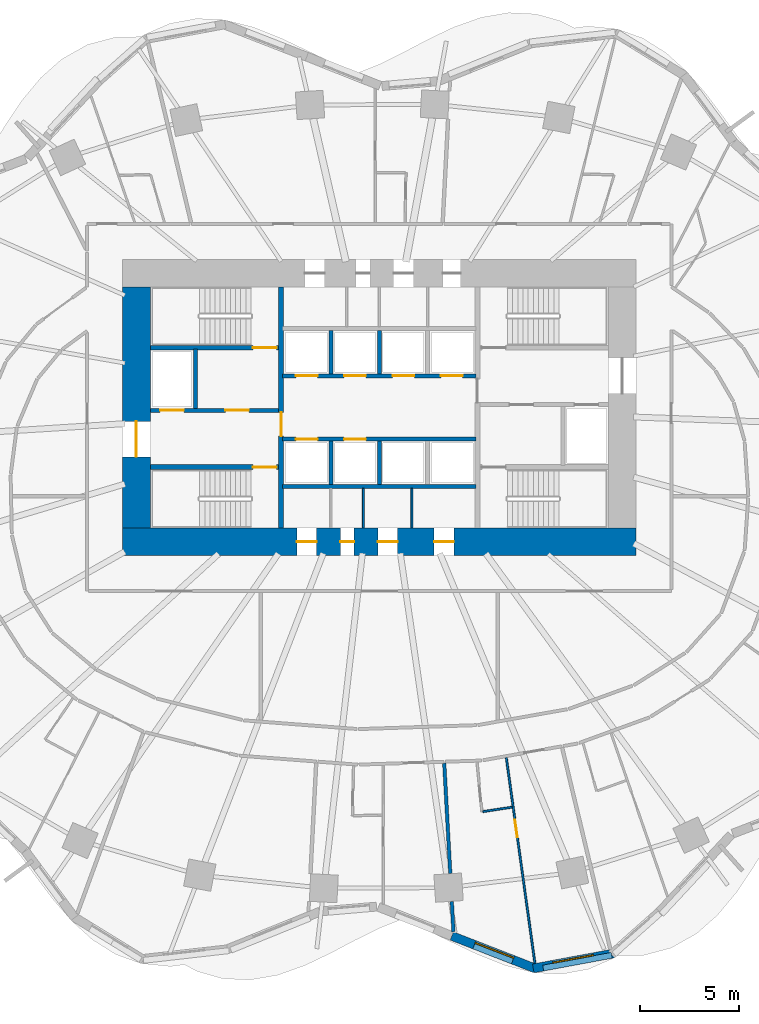
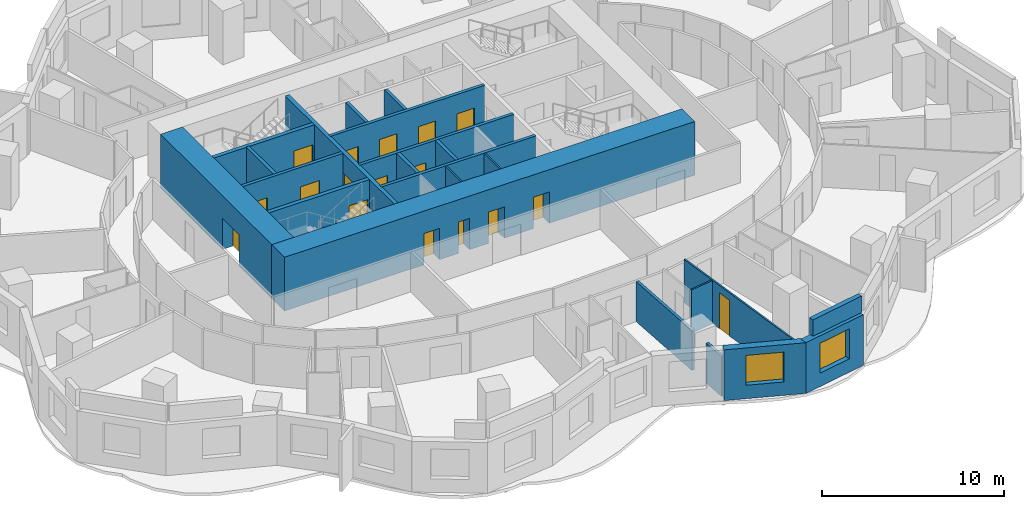
# One storey, part 5 of 11: 23 walls, 17 doors, 2 windows, 19 openings.
"""IFC4 building model written with IfcOpenShell, lengths in metres."""

from ifc_helpers import new_model, si_unit, direction, frame, frame_2d, origin, place, context, subcontext, project, spatial, rectangle, extrude, material, layer, layer_set, type_object, element, fill, save


model = new_model("IFC4")

# Units and contexts
model_context = context("Model", 3, precision=1e-05, world=origin(), true_north=direction((0.0, 1.0)))
body_context = subcontext(model_context, "Body", "Model", "MODEL_VIEW")
ifc_project = project(units=[si_unit("LENGTHUNIT", "METRE"), si_unit("AREAUNIT", "SQUARE_METRE"), si_unit("VOLUMEUNIT", "CUBIC_METRE"), si_unit("PLANEANGLEUNIT", "RADIAN"), si_unit("MASSUNIT", "GRAM", prefix="KILO")], contexts=[model_context])

# Site, building, storey
site_placement = place(None, origin())
site = spatial("IfcSite", under=ifc_project, at=site_placement, CompositionType="ELEMENT")
building_placement = place(site_placement, origin())
building = spatial("IfcBuilding", under=site, at=building_placement, Name="Rubra Terraces Tower", CompositionType="ELEMENT")
storey_placement = place(building_placement, frame((0.0, 0.0, 69.89990234375)))
storey = spatial("IfcBuildingStorey", under=building, at=storey_placement, Name="L15", CompositionType="ELEMENT", Elevation=69.89990234375)

# Walls
ifc_material_1 = material(Name="Twin plasterboard on staggered steel stud, acoustic mineral wool", Category="steel")
ifc_layer_1 = layer(ifc_material_1, 0.175048828125)
ifc_layer_set_1 = layer_set([ifc_layer_1], Name="Twin plasterboard on staggered steel stud, acoustic mineral wool")
wall_type_1 = type_object("IfcWallType", Name="ACOUSTIC PARTY WALL 175", PredefinedType="PARTITIONING", material=ifc_layer_set_1)
wall_1_placement = place(storey_placement, frame((3.7568359375, -22.0576171875, 0.0), z_axis=(0.0, 0.0, 1.0), x_axis=(-0.054592188309, 0.998508734552, 0.0)))
element("IfcWall", 1, at=wall_1_placement, inside=storey, type_object=wall_type_1, Name="PARTITION", PredefinedType="PARTITIONING", context=body_context, shape_type="SweptSolid", body=[
    extrude(rectangle(XDim=1.52490234375, YDim=0.175048828125, at=frame_2d((0.762451171875, 0.0))), origin(), (0.0, 0.0, 1.0), 2.68017578125),
])
wall_2_placement = place(storey_placement, frame((3.59521484375, -19.09716796875, 0.0), z_axis=(0.0, 0.0, 1.0), x_axis=(-0.05457388759, 0.998509734952, 0.0)))
element("IfcWall", 2, at=wall_2_placement, inside=storey, type_object=wall_type_1, Name="PARTITION", PredefinedType="PARTITIONING", context=body_context, shape_type="SweptSolid", body=[
    extrude(rectangle(XDim=5.5830078125, YDim=0.175048828125, at=frame_2d((2.79150390625, 0.0))), origin(), (0.0, 0.0, 1.0), 2.68017578125),
])

# Wall, opening, window
ifc_material_2 = material(Name="Brick masonry red-brown", Category="masonry")
ifc_layer_2 = layer(ifc_material_2, 0.449951171875)
ifc_layer_set_2 = layer_set([ifc_layer_2], Name="Brick masonry red-brown")
wall_type_2 = type_object("IfcWallType", Name="Brick facade wall 450", PredefinedType="SOLIDWALL", material=ifc_layer_set_2)
wall_3_placement = place(storey_placement, frame((3.671630859375, -22.27001953125, 0.0), z_axis=(0.0, 0.0, 1.0), x_axis=(0.931791503167, -0.36299393194, 0.0)))
wall_3 = element("IfcWall", 3, at=wall_3_placement, inside=storey, type_object=wall_type_2, Name="Facade wall L15 bay 32", PredefinedType="SOLIDWALL", context=body_context, shape_type="SweptSolid", body=[
    extrude(rectangle(XDim=4.56005859375, YDim=0.449951171875, at=frame_2d((2.280029296875, 0.0))), origin(), (0.0, 0.0, 1.0), 3.400146484375),
])
opening_1_placement = place(wall_3_placement, frame((1.22998046875, 0.0, 0.89990234375)))
opening_1 = element("IfcOpeningElement", 4, at=opening_1_placement, cuts=wall_3, Name="Opening W1", PredefinedType="OPENING", context=body_context, shape_type="SweptSolid", body=[
    extrude(rectangle(XDim=2.10009765625, YDim=2.0, at=frame_2d((1.050048828125, 1.0))), frame((0.0, 0.23486328125, 0.0), z_axis=(0.0, -1.0, 0.0), x_axis=(1.0, 0.0, 0.0)), (0.0, 0.0, 1.0), 0.469970703125),
])
ifc_material_3 = material(Name="Clear glass in aluminium frame", Category="aluminium")
window_type = type_object("IfcWindowType", Name="Fixed deep-set window 2100 x 2000", PartitioningType="SINGLE_PANEL", PredefinedType="WINDOW", material=ifc_material_3)
window_1_placement = place(opening_1_placement, origin())
window_1 = element("IfcWindow", 5, at=window_1_placement, inside=storey, type_object=window_type, Name="Window L15 bay 32", OverallHeight=2.0, OverallWidth=2.10009765625, PartitioningType="SINGLE_PANEL", PredefinedType="WINDOW", context=body_context, shape_type="SweptSolid", body=[
    extrude(rectangle(XDim=2.10009765625, YDim=2.0, at=frame_2d((1.050048828125, 1.0))), frame((0.0, 0.135009765625, 0.0), z_axis=(0.0, -1.0, 0.0), x_axis=(1.0, 0.0, 0.0)), (0.0, 0.0, 1.0), 0.06005859375),
])
fill(opening_1, window_1)

wall_4_placement = place(storey_placement, frame((7.80078125, -23.914794921875, 0.0), z_axis=(0.0, 0.0, 1.0), x_axis=(0.983186467795, 0.182604407242, 0.0)))
wall_4 = element("IfcWall", 6, at=wall_4_placement, inside=storey, type_object=wall_type_2, Name="Facade wall L15 bay 33", PredefinedType="SOLIDWALL", context=body_context, shape_type="SweptSolid", body=[
    extrude(rectangle(XDim=4.140625, YDim=0.449951171875, at=frame_2d((2.0703125, 0.0))), origin(), (0.0, 0.0, 1.0), 3.400146484375),
])
opening_2_placement = place(wall_4_placement, frame((1.020263671875, 0.0, 0.89990234375)))
opening_2 = element("IfcOpeningElement", 7, at=opening_2_placement, cuts=wall_4, Name="Opening W1", PredefinedType="OPENING", context=body_context, shape_type="SweptSolid", body=[
    extrude(rectangle(XDim=2.10009765625, YDim=2.0, at=frame_2d((1.050048828125, 1.0))), frame((0.0, 0.23486328125, 0.0), z_axis=(0.0, -1.0, 0.0), x_axis=(1.0, 0.0, 0.0)), (0.0, 0.0, 1.0), 0.469970703125),
])
window_2_placement = place(opening_2_placement, origin())
window_2 = element("IfcWindow", 8, at=window_2_placement, inside=storey, type_object=window_type, Name="Window L15 bay 33", OverallHeight=2.0, OverallWidth=2.10009765625, PartitioningType="SINGLE_PANEL", PredefinedType="WINDOW", context=body_context, shape_type="SweptSolid", body=[
    extrude(rectangle(XDim=2.10009765625, YDim=2.0, at=frame_2d((1.050048828125, 1.0))), frame((0.0, 0.135009765625, 0.0), z_axis=(0.0, -1.0, 0.0), x_axis=(1.0, 0.0, 0.0)), (0.0, 0.0, 1.0), 0.06005859375),
])
fill(opening_2, window_2)

# Wall
ifc_layer_3 = layer(ifc_material_2, 0.300048828125)
ifc_layer_set_3 = layer_set([ifc_layer_3], Name="Brick masonry red-brown")
wall_type_3 = type_object("IfcWallType", Name="Brick parapet 300", PredefinedType="PARAPET", material=ifc_layer_set_3)
wall_5_placement = place(storey_placement, frame((8.304443359375, -23.8974609375, 3.60009765625), z_axis=(0.0, 0.0, 1.0), x_axis=(0.983203460001, 0.182512893356, 0.0)))
element("IfcWall", 9, at=wall_5_placement, inside=storey, type_object=wall_type_3, Name="Parapet L15 bay 33", PredefinedType="PARAPET", context=body_context, shape_type="SweptSolid", body=[
    extrude(rectangle(XDim=3.52880859375, YDim=0.300048828125, at=frame_2d((1.764404296875, 0.0))), origin(), (0.0, 0.0, 1.0), 1.10009765625),
])

# Wall, openings, doors
ifc_material_4 = material(Name="Concrete C70", Category="concrete")
ifc_layer_4 = layer(ifc_material_4, 1.39990234375)
ifc_layer_set_4 = layer_set([ifc_layer_4], Name="Concrete C70")
wall_type_4 = type_object("IfcWallType", Name="CORE WALL 1400 C70", PredefinedType="SHEAR", material=ifc_layer_set_4)
wall_6_placement = place(storey_placement, frame((-13.0, -2.300048828125, 0.0), z_axis=(0.0, 0.0, 1.0), x_axis=(1.0, 0.0, 0.0)))
wall_6 = element("IfcWall", 10, at=wall_6_placement, inside=storey, type_object=wall_type_4, Name="CORE WALL S L15", PredefinedType="SHEAR", context=body_context, shape_type="SweptSolid", body=[
    extrude(rectangle(XDim=26.0, YDim=1.39990234375, at=frame_2d((13.0, 0.0))), origin(), (0.0, 0.0, 1.0), 3.60009765625),
])
opening_3_placement = place(wall_6_placement, frame((8.824951171875, 0.0, 0.0)))
opening_3 = element("IfcOpeningElement", 11, at=opening_3_placement, cuts=wall_6, Name="Opening L15.C19", PredefinedType="OPENING", context=body_context, shape_type="SweptSolid", body=[
    extrude(rectangle(XDim=1.0, YDim=2.10009765625, at=frame_2d((0.5, 1.050048828125))), frame((0.0, 0.7099609375, 0.0), z_axis=(0.0, -1.0, 0.0), x_axis=(1.0, 0.0, 0.0)), (0.0, 0.0, 1.0), 1.419921875),
])
opening_4_placement = place(wall_6_placement, frame((11.02490234375, 0.0, 0.0)))
opening_4 = element("IfcOpeningElement", 12, at=opening_4_placement, cuts=wall_6, Name="Opening L15.C20", PredefinedType="OPENING", context=body_context, shape_type="SweptSolid", body=[
    extrude(rectangle(XDim=0.699951171875, YDim=2.10009765625, at=frame_2d((0.35009765625, 1.050048828125))), frame((0.0, 0.7099609375, 0.0), z_axis=(0.0, -1.0, 0.0), x_axis=(1.0, 0.0, 0.0)), (0.0, 0.0, 1.0), 1.419921875),
])
opening_5_placement = place(wall_6_placement, frame((12.925048828125, 0.0, 0.0)))
opening_5 = element("IfcOpeningElement", 13, at=opening_5_placement, cuts=wall_6, Name="Opening L15.C21", PredefinedType="OPENING", context=body_context, shape_type="SweptSolid", body=[
    extrude(rectangle(XDim=1.0, YDim=2.10009765625, at=frame_2d((0.5, 1.050048828125))), frame((0.0, 0.7099609375, 0.0), z_axis=(0.0, -1.0, 0.0), x_axis=(1.0, 0.0, 0.0)), (0.0, 0.0, 1.0), 1.419921875),
])
opening_6_placement = place(wall_6_placement, frame((15.77490234375, 0.0, 0.0)))
opening_6 = element("IfcOpeningElement", 14, at=opening_6_placement, cuts=wall_6, Name="Opening L15.C22", PredefinedType="OPENING", context=body_context, shape_type="SweptSolid", body=[
    extrude(rectangle(XDim=1.0, YDim=2.10009765625, at=frame_2d((0.5, 1.050048828125))), frame((0.0, 0.7099609375, 0.0), z_axis=(0.0, -1.0, 0.0), x_axis=(1.0, 0.0, 0.0)), (0.0, 0.0, 1.0), 1.419921875),
])
ifc_material_5 = material(Name="Painted steel", Category="steel")
door_type_1 = type_object("IfcDoorType", Name="Fire door 1000x2100 single", OperationType="NOTDEFINED", PredefinedType="DOOR", material=ifc_material_5)
door_1_placement = place(opening_3_placement, origin())
door_1 = element("IfcDoor", 15, at=door_1_placement, inside=storey, type_object=door_type_1, Name="Ice and vending room door", OperationType="SINGLE_SWING_LEFT", OverallHeight=2.10009765625, OverallWidth=1.0, PredefinedType="DOOR", context=body_context, shape_type="SweptSolid", body=[
    extrude(rectangle(XDim=1.0, YDim=2.10009765625, at=frame_2d((0.5, 1.050048828125))), frame((0.0, 0.02490234375, 0.0), z_axis=(0.0, -1.0, 0.0), x_axis=(1.0, 0.0, 0.0)), (0.0, 0.0, 1.0), 0.050048828125),
])
fill(opening_3, door_1)
door_2_placement = place(opening_5_placement, origin())
door_2 = element("IfcDoor", 16, at=door_2_placement, inside=storey, type_object=door_type_1, Name="Linen store door", OperationType="SINGLE_SWING_LEFT", OverallHeight=2.10009765625, OverallWidth=1.0, PredefinedType="DOOR", context=body_context, shape_type="SweptSolid", body=[
    extrude(rectangle(XDim=1.0, YDim=2.10009765625, at=frame_2d((0.5, 1.050048828125))), frame((0.0, 0.02490234375, 0.0), z_axis=(0.0, -1.0, 0.0), x_axis=(1.0, 0.0, 0.0)), (0.0, 0.0, 1.0), 0.050048828125),
])
fill(opening_5, door_2)
door_3_placement = place(opening_6_placement, origin())
door_3 = element("IfcDoor", 17, at=door_3_placement, inside=storey, type_object=door_type_1, Name="Housekeeping store door", OperationType="SINGLE_SWING_RIGHT", OverallHeight=2.10009765625, OverallWidth=1.0, PredefinedType="DOOR", context=body_context, shape_type="SweptSolid", body=[
    extrude(rectangle(XDim=1.0, YDim=2.10009765625, at=frame_2d((0.5, 1.050048828125))), frame((0.0, 0.02490234375, 0.0), z_axis=(0.0, -1.0, 0.0), x_axis=(1.0, 0.0, 0.0)), (0.0, 0.0, 1.0), 0.050048828125),
])
fill(opening_6, door_3)
door_type_2 = type_object("IfcDoorType", Name="Riser access door 700x2100 single", OperationType="NOTDEFINED", PredefinedType="DOOR", material=ifc_material_5)
door_4_placement = place(opening_4_placement, origin())
door_4 = element("IfcDoor", 18, at=door_4_placement, inside=storey, type_object=door_type_2, Name="Electrical riser room door", OperationType="SINGLE_SWING_RIGHT", OverallHeight=2.10009765625, OverallWidth=0.699951171875, PredefinedType="DOOR", context=body_context, shape_type="SweptSolid", body=[
    extrude(rectangle(XDim=0.699951171875, YDim=2.10009765625, at=frame_2d((0.35009765625, 1.050048828125))), frame((0.0, 0.02490234375, 0.0), z_axis=(0.0, -1.0, 0.0), x_axis=(1.0, 0.0, 0.0)), (0.0, 0.0, 1.0), 0.050048828125),
])
fill(opening_4, door_4)

# Wall, opening, door
wall_7_placement = place(storey_placement, frame((-12.300048828125, -1.60009765625, 0.0), z_axis=(0.0, 0.0, 1.0), x_axis=(0.0, 1.0, 0.0)))
wall_7 = element("IfcWall", 19, at=wall_7_placement, inside=storey, type_object=wall_type_4, Name="CORE WALL W L15", PredefinedType="SHEAR", context=body_context, shape_type="SweptSolid", body=[
    extrude(rectangle(XDim=12.2001953125, YDim=1.39990234375, at=frame_2d((6.10009765625, 0.0))), origin(), (0.0, 0.0, 1.0), 3.60009765625),
])
opening_7_placement = place(wall_7_placement, frame((3.60009765625, 0.0, 0.0)))
opening_7 = element("IfcOpeningElement", 20, at=opening_7_placement, cuts=wall_7, Name="Opening L15.C01", PredefinedType="OPENING", context=body_context, shape_type="SweptSolid", body=[
    extrude(rectangle(XDim=1.800048828125, YDim=2.10009765625, at=frame_2d((0.89990234375, 1.050048828125))), frame((0.0, 0.7099609375, 0.0), z_axis=(0.0, -1.0, 0.0), x_axis=(1.0, 0.0, 0.0)), (0.0, 0.0, 1.0), 1.419921875),
])
door_type_3 = type_object("IfcDoorType", Name="Fire door 1800x2100 double", OperationType="NOTDEFINED", PredefinedType="DOOR", material=ifc_material_5)
door_5_placement = place(opening_7_placement, origin())
door_5 = element("IfcDoor", 21, at=door_5_placement, inside=storey, type_object=door_type_3, Name="Core entrance door FF1", OperationType="DOUBLE_DOOR_SINGLE_SWING", OverallHeight=2.10009765625, OverallWidth=1.800048828125, PredefinedType="DOOR", context=body_context, shape_type="SweptSolid", body=[
    extrude(rectangle(XDim=1.800048828125, YDim=2.10009765625, at=frame_2d((0.89990234375, 1.050048828125))), frame((0.0, 0.02490234375, 0.0), z_axis=(0.0, -1.0, 0.0), x_axis=(1.0, 0.0, 0.0)), (0.0, 0.0, 1.0), 0.050048828125),
])
fill(opening_7, door_5)

# Wall, openings, doors
ifc_material_6 = material(Name="Concrete C30", Category="concrete")
ifc_layer_5 = layer(ifc_material_6, 0.199951171875)
ifc_layer_set_5 = layer_set([ifc_layer_5], Name="Concrete C30")
wall_type_5 = type_object("IfcWallType", Name="Core wall 200 concrete", PredefinedType="SOLIDWALL", material=ifc_layer_set_5)
wall_8_placement = place(storey_placement, frame((-11.60009765625, 4.35009765625, 0.0), z_axis=(0.0, 0.0, 1.0), x_axis=(1.0, 0.0, 0.0)))
wall_8 = element("IfcWall", 22, at=wall_8_placement, inside=storey, type_object=wall_type_5, Name="STAIR WALL L15", PredefinedType="SOLIDWALL", context=body_context, shape_type="SweptSolid", body=[
    extrude(rectangle(XDim=6.5, YDim=0.199951171875, at=frame_2d((3.25, 0.0))), origin(), (0.0, 0.0, 1.0), 3.400146484375),
])
opening_8_placement = place(wall_8_placement, frame((3.800048828125, 0.0, 0.0)))
opening_8 = element("IfcOpeningElement", 23, at=opening_8_placement, cuts=wall_8, Name="Opening L15.C05", PredefinedType="OPENING", context=body_context, shape_type="SweptSolid", body=[
    extrude(rectangle(XDim=1.199951171875, YDim=2.10009765625, at=frame_2d((0.60009765625, 1.050048828125))), frame((0.0, 0.10986328125, 0.0), z_axis=(0.0, -1.0, 0.0), x_axis=(1.0, 0.0, 0.0)), (0.0, 0.0, 1.0), 0.219970703125),
])
opening_9_placement = place(wall_8_placement, frame((0.5, 0.0, 0.0)))
opening_9 = element("IfcOpeningElement", 24, at=opening_9_placement, cuts=wall_8, Name="Opening L15.C11", PredefinedType="OPENING", context=body_context, shape_type="SweptSolid", body=[
    extrude(rectangle(XDim=1.199951171875, YDim=2.10009765625, at=frame_2d((0.60009765625, 1.050048828125))), frame((0.0, 0.10986328125, 0.0), z_axis=(0.0, -1.0, 0.0), x_axis=(1.0, 0.0, 0.0)), (0.0, 0.0, 1.0), 0.219970703125),
])
door_type_4 = type_object("IfcDoorType", Name="Fire door 1200x2100 single", OperationType="NOTDEFINED", PredefinedType="DOOR", material=ifc_material_5)
door_6_placement = place(opening_8_placement, origin())
door_6 = element("IfcDoor", 25, at=door_6_placement, inside=storey, type_object=door_type_4, Name="Stair vestibule door S2", OperationType="SINGLE_SWING_LEFT", OverallHeight=2.10009765625, OverallWidth=1.199951171875, PredefinedType="DOOR", context=body_context, shape_type="SweptSolid", body=[
    extrude(rectangle(XDim=1.199951171875, YDim=2.10009765625, at=frame_2d((0.60009765625, 1.050048828125))), frame((0.0, 0.02490234375, 0.0), z_axis=(0.0, -1.0, 0.0), x_axis=(1.0, 0.0, 0.0)), (0.0, 0.0, 1.0), 0.050048828125),
])
fill(opening_8, door_6)
ifc_material_7 = material(Name="Stainless steel", Category="steel")
door_type_5 = type_object("IfcDoorType", Name="Lift landing door 1200x2100", OperationType="NOTDEFINED", PredefinedType="DOOR", material=ifc_material_7)
door_7_placement = place(opening_9_placement, origin())
door_7 = element("IfcDoor", 26, at=door_7_placement, inside=storey, type_object=door_type_5, Name="Landing door FF1", OperationType="SLIDING_TO_RIGHT", OverallHeight=2.10009765625, OverallWidth=1.199951171875, PredefinedType="DOOR", context=body_context, shape_type="SweptSolid", body=[
    extrude(rectangle(XDim=1.199951171875, YDim=2.10009765625, at=frame_2d((0.60009765625, 1.050048828125))), frame((0.0, 0.02490234375, 0.0), z_axis=(0.0, -1.0, 0.0), x_axis=(1.0, 0.0, 0.0)), (0.0, 0.0, 1.0), 0.050048828125),
])
fill(opening_9, door_7)

# Walls
wall_9_placement = place(storey_placement, frame((-9.300048828125, 4.449951171875, 0.0), z_axis=(0.0, 0.0, 1.0), x_axis=(0.0, 1.0, 0.0)))
element("IfcWall", 27, at=wall_9_placement, inside=storey, type_object=wall_type_5, Name="STAIR WALL L15", PredefinedType="SOLIDWALL", context=body_context, shape_type="SweptSolid", body=[
    extrude(rectangle(XDim=3.0, YDim=0.199951171875, at=frame_2d((1.5, 0.0))), origin(), (0.0, 0.0, 1.0), 3.400146484375),
])
wall_10_placement = place(storey_placement, frame((-4.89990234375, 0.5, 0.0), z_axis=(0.0, 0.0, 1.0), x_axis=(1.0, 0.0, 0.0)))
element("IfcWall", 28, at=wall_10_placement, inside=storey, type_object=wall_type_5, Name="LIFT SHAFT WALL L15", PredefinedType="SOLIDWALL", context=body_context, shape_type="SweptSolid", body=[
    extrude(rectangle(XDim=9.7998046875, YDim=0.199951171875, at=frame_2d((4.89990234375, 0.0))), origin(), (0.0, 0.0, 1.0), 3.400146484375),
])

# Wall, openings, doors
wall_11_placement = place(storey_placement, frame((-4.89990234375, 2.89990234375, 0.0), z_axis=(0.0, 0.0, 1.0), x_axis=(1.0, 0.0, 0.0)))
wall_11 = element("IfcWall", 29, at=wall_11_placement, inside=storey, type_object=wall_type_5, Name="LIFT SHAFT WALL L15", PredefinedType="SOLIDWALL", context=body_context, shape_type="SweptSolid", body=[
    extrude(rectangle(XDim=9.7998046875, YDim=0.199951171875, at=frame_2d((4.89990234375, 0.0))), origin(), (0.0, 0.0, 1.0), 3.400146484375),
])
opening_10_placement = place(wall_11_placement, frame((0.675048828125, 0.0, 0.0)))
opening_10 = element("IfcOpeningElement", 30, at=opening_10_placement, cuts=wall_11, Name="Opening L15.C13", PredefinedType="OPENING", context=body_context, shape_type="SweptSolid", body=[
    extrude(rectangle(XDim=1.10009765625, YDim=2.10009765625, at=frame_2d((0.550048828125, 1.050048828125))), frame((0.0, 0.10986328125, 0.0), z_axis=(0.0, -1.0, 0.0), x_axis=(1.0, 0.0, 0.0)), (0.0, 0.0, 1.0), 0.219970703125),
])
opening_11_placement = place(wall_11_placement, frame((3.125, 0.0, 0.0)))
opening_11 = element("IfcOpeningElement", 31, at=opening_11_placement, cuts=wall_11, Name="Opening L15.C14", PredefinedType="OPENING", context=body_context, shape_type="SweptSolid", body=[
    extrude(rectangle(XDim=1.10009765625, YDim=2.10009765625, at=frame_2d((0.550048828125, 1.050048828125))), frame((0.0, 0.10986328125, 0.0), z_axis=(0.0, -1.0, 0.0), x_axis=(1.0, 0.0, 0.0)), (0.0, 0.0, 1.0), 0.219970703125),
])
door_type_6 = type_object("IfcDoorType", Name="Lift landing door 1100x2100", OperationType="NOTDEFINED", PredefinedType="DOOR", material=ifc_material_7)
door_8_placement = place(opening_10_placement, origin())
door_8 = element("IfcDoor", 32, at=door_8_placement, inside=storey, type_object=door_type_6, Name="Landing door LB1", OperationType="SLIDING_TO_RIGHT", OverallHeight=2.10009765625, OverallWidth=1.10009765625, PredefinedType="DOOR", context=body_context, shape_type="SweptSolid", body=[
    extrude(rectangle(XDim=1.10009765625, YDim=2.10009765625, at=frame_2d((0.550048828125, 1.050048828125))), frame((0.0, 0.02490234375, 0.0), z_axis=(0.0, -1.0, 0.0), x_axis=(1.0, 0.0, 0.0)), (0.0, 0.0, 1.0), 0.050048828125),
])
fill(opening_10, door_8)
door_9_placement = place(opening_11_placement, origin())
door_9 = element("IfcDoor", 33, at=door_9_placement, inside=storey, type_object=door_type_6, Name="Landing door LB2", OperationType="SLIDING_TO_LEFT", OverallHeight=2.10009765625, OverallWidth=1.10009765625, PredefinedType="DOOR", context=body_context, shape_type="SweptSolid", body=[
    extrude(rectangle(XDim=1.10009765625, YDim=2.10009765625, at=frame_2d((0.550048828125, 1.050048828125))), frame((0.0, 0.02490234375, 0.0), z_axis=(0.0, -1.0, 0.0), x_axis=(1.0, 0.0, 0.0)), (0.0, 0.0, 1.0), 0.050048828125),
])
fill(opening_11, door_9)

wall_12_placement = place(storey_placement, frame((-4.89990234375, 6.10009765625, 0.0), z_axis=(0.0, 0.0, 1.0), x_axis=(1.0, 0.0, 0.0)))
wall_12 = element("IfcWall", 34, at=wall_12_placement, inside=storey, type_object=wall_type_5, Name="LIFT SHAFT WALL L15", PredefinedType="SOLIDWALL", context=body_context, shape_type="SweptSolid", body=[
    extrude(rectangle(XDim=9.7998046875, YDim=0.199951171875, at=frame_2d((4.89990234375, 0.0))), origin(), (0.0, 0.0, 1.0), 3.400146484375),
])
opening_12_placement = place(wall_12_placement, frame((0.675048828125, 0.0, 0.0)))
opening_12 = element("IfcOpeningElement", 35, at=opening_12_placement, cuts=wall_12, Name="Opening L15.C15", PredefinedType="OPENING", context=body_context, shape_type="SweptSolid", body=[
    extrude(rectangle(XDim=1.10009765625, YDim=2.10009765625, at=frame_2d((0.550048828125, 1.050048828125))), frame((0.0, 0.10986328125, 0.0), z_axis=(0.0, -1.0, 0.0), x_axis=(1.0, 0.0, 0.0)), (0.0, 0.0, 1.0), 0.219970703125),
])
opening_13_placement = place(wall_12_placement, frame((3.125, 0.0, 0.0)))
opening_13 = element("IfcOpeningElement", 36, at=opening_13_placement, cuts=wall_12, Name="Opening L15.C16", PredefinedType="OPENING", context=body_context, shape_type="SweptSolid", body=[
    extrude(rectangle(XDim=1.10009765625, YDim=2.10009765625, at=frame_2d((0.550048828125, 1.050048828125))), frame((0.0, 0.10986328125, 0.0), z_axis=(0.0, -1.0, 0.0), x_axis=(1.0, 0.0, 0.0)), (0.0, 0.0, 1.0), 0.219970703125),
])
opening_14_placement = place(wall_12_placement, frame((5.574951171875, 0.0, 0.0)))
opening_14 = element("IfcOpeningElement", 37, at=opening_14_placement, cuts=wall_12, Name="Opening L15.C17", PredefinedType="OPENING", context=body_context, shape_type="SweptSolid", body=[
    extrude(rectangle(XDim=1.10009765625, YDim=2.10009765625, at=frame_2d((0.550048828125, 1.050048828125))), frame((0.0, 0.10986328125, 0.0), z_axis=(0.0, -1.0, 0.0), x_axis=(1.0, 0.0, 0.0)), (0.0, 0.0, 1.0), 0.219970703125),
])
opening_15_placement = place(wall_12_placement, frame((8.02490234375, 0.0, 0.0)))
opening_15 = element("IfcOpeningElement", 38, at=opening_15_placement, cuts=wall_12, Name="Opening L15.C18", PredefinedType="OPENING", context=body_context, shape_type="SweptSolid", body=[
    extrude(rectangle(XDim=1.10009765625, YDim=2.10009765625, at=frame_2d((0.550048828125, 1.050048828125))), frame((0.0, 0.10986328125, 0.0), z_axis=(0.0, -1.0, 0.0), x_axis=(1.0, 0.0, 0.0)), (0.0, 0.0, 1.0), 0.219970703125),
])
door_10_placement = place(opening_12_placement, origin())
door_10 = element("IfcDoor", 39, at=door_10_placement, inside=storey, type_object=door_type_6, Name="Landing door LB3", OperationType="SLIDING_TO_RIGHT", OverallHeight=2.10009765625, OverallWidth=1.10009765625, PredefinedType="DOOR", context=body_context, shape_type="SweptSolid", body=[
    extrude(rectangle(XDim=1.10009765625, YDim=2.10009765625, at=frame_2d((0.550048828125, 1.050048828125))), frame((0.0, 0.02490234375, 0.0), z_axis=(0.0, -1.0, 0.0), x_axis=(1.0, 0.0, 0.0)), (0.0, 0.0, 1.0), 0.050048828125),
])
fill(opening_12, door_10)
door_11_placement = place(opening_13_placement, origin())
door_11 = element("IfcDoor", 40, at=door_11_placement, inside=storey, type_object=door_type_6, Name="Landing door LB4", OperationType="SLIDING_TO_LEFT", OverallHeight=2.10009765625, OverallWidth=1.10009765625, PredefinedType="DOOR", context=body_context, shape_type="SweptSolid", body=[
    extrude(rectangle(XDim=1.10009765625, YDim=2.10009765625, at=frame_2d((0.550048828125, 1.050048828125))), frame((0.0, 0.02490234375, 0.0), z_axis=(0.0, -1.0, 0.0), x_axis=(1.0, 0.0, 0.0)), (0.0, 0.0, 1.0), 0.050048828125),
])
fill(opening_13, door_11)
door_12_placement = place(opening_14_placement, origin())
door_12 = element("IfcDoor", 41, at=door_12_placement, inside=storey, type_object=door_type_6, Name="Landing door LB5", OperationType="SLIDING_TO_RIGHT", OverallHeight=2.10009765625, OverallWidth=1.10009765625, PredefinedType="DOOR", context=body_context, shape_type="SweptSolid", body=[
    extrude(rectangle(XDim=1.10009765625, YDim=2.10009765625, at=frame_2d((0.550048828125, 1.050048828125))), frame((0.0, 0.02490234375, 0.0), z_axis=(0.0, -1.0, 0.0), x_axis=(1.0, 0.0, 0.0)), (0.0, 0.0, 1.0), 0.050048828125),
])
fill(opening_14, door_12)
door_13_placement = place(opening_15_placement, origin())
door_13 = element("IfcDoor", 42, at=door_13_placement, inside=storey, type_object=door_type_6, Name="Landing door LB6", OperationType="SLIDING_TO_LEFT", OverallHeight=2.10009765625, OverallWidth=1.10009765625, PredefinedType="DOOR", context=body_context, shape_type="SweptSolid", body=[
    extrude(rectangle(XDim=1.10009765625, YDim=2.10009765625, at=frame_2d((0.550048828125, 1.050048828125))), frame((0.0, 0.02490234375, 0.0), z_axis=(0.0, -1.0, 0.0), x_axis=(1.0, 0.0, 0.0)), (0.0, 0.0, 1.0), 0.050048828125),
])
fill(opening_15, door_13)

# Walls
for number, where, z_axis, x_axis, name in (
    (43, (-2.449951171875, 0.60009765625, 0.0), (0.0, 0.0, 1.0), (0.0, 1.0, 0.0), "LIFT SHAFT WALL L15"),
    (44, (0.0, 0.60009765625, 0.0), (0.0, 0.0, 1.0), (0.0, 1.0, 0.0), "LIFT SHAFT WALL L15"),
    (45, (-2.449951171875, 6.199951171875, 0.0), (0.0, 0.0, 1.0), (0.0, 1.0, 0.0), "LIFT SHAFT WALL L15"),
    (46, (0.0, 6.199951171875, 0.0), (0.0, 0.0, 1.0), (0.0, 1.0, 0.0), "LIFT SHAFT WALL L15"),
):
    element("IfcWall", number, at=place(storey_placement, frame(where, z_axis=z_axis, x_axis=x_axis)), inside=storey, type_object=wall_type_5, Name=name, PredefinedType="SOLIDWALL", context=body_context, shape_type="SweptSolid", body=[
        extrude(rectangle(XDim=2.199951171875, YDim=0.199951171875, at=frame_2d((1.10009765625, 0.0))), origin(), (0.0, 0.0, 1.0), 3.400146484375),
    ])

# Wall, opening, door
ifc_material_8 = material(Name="Plasterboard on steel stud", Category="steel")
ifc_layer_6 = layer(ifc_material_8, 0.10009765625)
ifc_layer_set_6 = layer_set([ifc_layer_6], Name="Plasterboard on steel stud")
wall_type_6 = type_object("IfcWallType", Name="ROOM PARTITION 100", PredefinedType="PARTITIONING", material=ifc_layer_set_6)
wall_13_placement = place(storey_placement, frame((7.88525390625, -23.66552734375, 0.0), z_axis=(0.0, 0.0, 1.0), x_axis=(-0.137793981423, 0.990460912244, 0.0)))
wall_13 = element("IfcWall", 47, at=wall_13_placement, inside=storey, type_object=wall_type_6, Name="PARTITION", PredefinedType="PARTITIONING", context=body_context, shape_type="SweptSolid", body=[
    extrude(rectangle(XDim=10.52783203125, YDim=0.10009765625, at=frame_2d((5.263916015625, 0.0))), origin(), (0.0, 0.0, 1.0), 2.898193359375),
])
opening_16_placement = place(wall_13_placement, frame((6.452880859375, 0.0, 0.0)))
opening_16 = element("IfcOpeningElement", 48, at=opening_16_placement, cuts=wall_13, Name="Opening 15-119", PredefinedType="OPENING", context=body_context, shape_type="SweptSolid", body=[
    extrude(rectangle(XDim=0.89990234375, YDim=2.39990234375, at=frame_2d((0.449951171875, 1.199951171875))), frame((0.0, 0.06005859375, 0.0), z_axis=(0.0, -1.0, 0.0), x_axis=(1.0, 0.0, 0.0)), (0.0, 0.0, 1.0), 0.1201171875),
])
ifc_material_9 = material(Name="Veneered timber door leaf, fire-rated", Category="wood")
door_type_7 = type_object("IfcDoorType", Name="SUITE ENTRANCE DOOR 900 X 2400", OperationType="SINGLE_SWING_LEFT", PredefinedType="DOOR", material=ifc_material_9)
door_14_placement = place(opening_16_placement, origin())
door_14 = element("IfcDoor", 49, at=door_14_placement, inside=storey, type_object=door_type_7, Name="DOOR 15-119", OperationType="SINGLE_SWING_LEFT", OverallHeight=2.39990234375, OverallWidth=0.89990234375, PredefinedType="DOOR", context=body_context, shape_type="SweptSolid", body=[
    extrude(rectangle(XDim=0.89990234375, YDim=2.39990234375, at=frame_2d((0.449951171875, 1.199951171875))), frame((0.0, 0.02490234375, 0.0), z_axis=(0.0, -1.0, 0.0), x_axis=(1.0, 0.0, 0.0)), (0.0, 0.0, 1.0), 0.050048828125),
])
fill(opening_16, door_14)

# Walls
wall_14_placement = place(storey_placement, frame((5.248779296875, -15.971923828125, 0.0), z_axis=(0.0, 0.0, 1.0), x_axis=(0.988672402225, 0.150089576851, 0.0)))
element("IfcWall", 50, at=wall_14_placement, inside=storey, type_object=wall_type_6, Name="PARTITION", PredefinedType="PARTITIONING", context=body_context, shape_type="SweptSolid", body=[
    extrude(rectangle(XDim=1.50146484375, YDim=0.10009765625, at=frame_2d((0.750732421875, 0.0))), origin(), (0.0, 0.0, 1.0), 2.898193359375),
])
ifc_material_10 = material(Name="Blockwork", Category="masonry")
ifc_layer_7 = layer(ifc_material_10, 0.10009765625)
ifc_layer_set_7 = layer_set([ifc_layer_7], Name="Blockwork")
wall_type_7 = type_object("IfcWallType", Name="Service partition 100 blockwork", PredefinedType="PARTITIONING", material=ifc_layer_set_7)
for number, where, z_axis, x_axis, name in (
    (51, (-0.800048828125, -1.60009765625, 0.0), (0.0, 0.0, 1.0), (0.0, 1.0, 0.0), "SERVICE ROOM PARTITION L15"),
    (52, (1.64990234375, -1.60009765625, 0.0), (0.0, 0.0, 1.0), (0.0, 1.0, 0.0), "SERVICE ROOM PARTITION L15"),
):
    element("IfcWall", number, at=place(storey_placement, frame(where, z_axis=z_axis, x_axis=x_axis)), inside=storey, type_object=wall_type_7, Name=name, PredefinedType="PARTITIONING", context=body_context, shape_type="SweptSolid", body=[
        extrude(rectangle(XDim=2.0, YDim=0.10009765625, at=frame_2d((1.0, 0.0))), origin(), (0.0, 0.0, 1.0), 3.400146484375),
    ])

# Wall, opening, door
ifc_material_11 = material(Name="Concrete C40", Category="concrete")
ifc_layer_8 = layer(ifc_material_11, 0.25)
ifc_layer_set_8 = layer_set([ifc_layer_8], Name="Concrete C40")
wall_type_8 = type_object("IfcWallType", Name="Stair enclosure wall 250 concrete", PredefinedType="SOLIDWALL", material=ifc_layer_set_8)
wall_15_placement = place(storey_placement, frame((-11.60009765625, 1.47509765625, 0.0), z_axis=(0.0, 0.0, 1.0), x_axis=(1.0, 0.0, 0.0)))
wall_15 = element("IfcWall", 53, at=wall_15_placement, inside=storey, type_object=wall_type_8, Name="STAIR WALL L15", PredefinedType="SOLIDWALL", context=body_context, shape_type="SweptSolid", body=[
    extrude(rectangle(XDim=6.5, YDim=0.25, at=frame_2d((3.25, 0.0))), origin(), (0.0, 0.0, 1.0), 3.400146484375),
])
opening_17_placement = place(wall_15_placement, frame((5.199951171875, 0.0, 0.0)))
opening_17 = element("IfcOpeningElement", 54, at=opening_17_placement, cuts=wall_15, Name="Opening L15.C07", PredefinedType="OPENING", context=body_context, shape_type="SweptSolid", body=[
    extrude(rectangle(XDim=1.199951171875, YDim=2.10009765625, at=frame_2d((0.60009765625, 1.050048828125))), frame((0.0, 0.135009765625, 0.0), z_axis=(0.0, -1.0, 0.0), x_axis=(1.0, 0.0, 0.0)), (0.0, 0.0, 1.0), 0.27001953125),
])
door_15_placement = place(opening_17_placement, origin())
door_15 = element("IfcDoor", 55, at=door_15_placement, inside=storey, type_object=door_type_4, Name="Stair door S1", OperationType="SINGLE_SWING_LEFT", OverallHeight=2.10009765625, OverallWidth=1.199951171875, PredefinedType="DOOR", context=body_context, shape_type="SweptSolid", body=[
    extrude(rectangle(XDim=1.199951171875, YDim=2.10009765625, at=frame_2d((0.60009765625, 1.050048828125))), frame((0.0, 0.02490234375, 0.0), z_axis=(0.0, -1.0, 0.0), x_axis=(1.0, 0.0, 0.0)), (0.0, 0.0, 1.0), 0.050048828125),
])
fill(opening_17, door_15)

wall_16_placement = place(storey_placement, frame((-11.60009765625, 7.52490234375, 0.0), z_axis=(0.0, 0.0, 1.0), x_axis=(1.0, 0.0, 0.0)))
wall_16 = element("IfcWall", 56, at=wall_16_placement, inside=storey, type_object=wall_type_8, Name="STAIR WALL L15", PredefinedType="SOLIDWALL", context=body_context, shape_type="SweptSolid", body=[
    extrude(rectangle(XDim=6.5, YDim=0.25, at=frame_2d((3.25, 0.0))), origin(), (0.0, 0.0, 1.0), 3.400146484375),
])
opening_18_placement = place(wall_16_placement, frame((5.199951171875, 0.0, 0.0)))
opening_18 = element("IfcOpeningElement", 57, at=opening_18_placement, cuts=wall_16, Name="Opening L15.C09", PredefinedType="OPENING", context=body_context, shape_type="SweptSolid", body=[
    extrude(rectangle(XDim=1.199951171875, YDim=2.10009765625, at=frame_2d((0.60009765625, 1.050048828125))), frame((0.0, 0.135009765625, 0.0), z_axis=(0.0, -1.0, 0.0), x_axis=(1.0, 0.0, 0.0)), (0.0, 0.0, 1.0), 0.27001953125),
])
door_16_placement = place(opening_18_placement, origin())
door_16 = element("IfcDoor", 58, at=door_16_placement, inside=storey, type_object=door_type_4, Name="Stair door S2", OperationType="SINGLE_SWING_LEFT", OverallHeight=2.10009765625, OverallWidth=1.199951171875, PredefinedType="DOOR", context=body_context, shape_type="SweptSolid", body=[
    extrude(rectangle(XDim=1.199951171875, YDim=2.10009765625, at=frame_2d((0.60009765625, 1.050048828125))), frame((0.0, 0.02490234375, 0.0), z_axis=(0.0, -1.0, 0.0), x_axis=(1.0, 0.0, 0.0)), (0.0, 0.0, 1.0), 0.050048828125),
])
fill(opening_18, door_16)

wall_17_placement = place(storey_placement, frame((-4.97509765625, -1.60009765625, 0.0), z_axis=(0.0, 0.0, 1.0), x_axis=(0.0, 1.0, 0.0)))
wall_17 = element("IfcWall", 59, at=wall_17_placement, inside=storey, type_object=wall_type_8, Name="CORE LOBBY WALL L15", PredefinedType="SOLIDWALL", context=body_context, shape_type="SweptSolid", body=[
    extrude(rectangle(XDim=12.2001953125, YDim=0.25, at=frame_2d((6.10009765625, 0.0))), origin(), (0.0, 0.0, 1.0), 3.400146484375),
])
opening_19_placement = place(wall_17_placement, frame((4.64990234375, 0.0, 0.0)))
opening_19 = element("IfcOpeningElement", 60, at=opening_19_placement, cuts=wall_17, Name="Opening L15.C03", PredefinedType="OPENING", context=body_context, shape_type="SweptSolid", body=[
    extrude(rectangle(XDim=1.199951171875, YDim=2.10009765625, at=frame_2d((0.60009765625, 1.050048828125))), frame((0.0, 0.135009765625, 0.0), z_axis=(0.0, -1.0, 0.0), x_axis=(1.0, 0.0, 0.0)), (0.0, 0.0, 1.0), 0.27001953125),
])
door_17_placement = place(opening_19_placement, origin())
door_17 = element("IfcDoor", 61, at=door_17_placement, inside=storey, type_object=door_type_4, Name="Firefighting lobby door FF1", OperationType="SINGLE_SWING_LEFT", OverallHeight=2.10009765625, OverallWidth=1.199951171875, PredefinedType="DOOR", context=body_context, shape_type="SweptSolid", body=[
    extrude(rectangle(XDim=1.199951171875, YDim=2.10009765625, at=frame_2d((0.60009765625, 1.050048828125))), frame((0.0, 0.02490234375, 0.0), z_axis=(0.0, -1.0, 0.0), x_axis=(1.0, 0.0, 0.0)), (0.0, 0.0, 1.0), 0.050048828125),
])
fill(opening_19, door_17)

save(model, "model.ifc")
